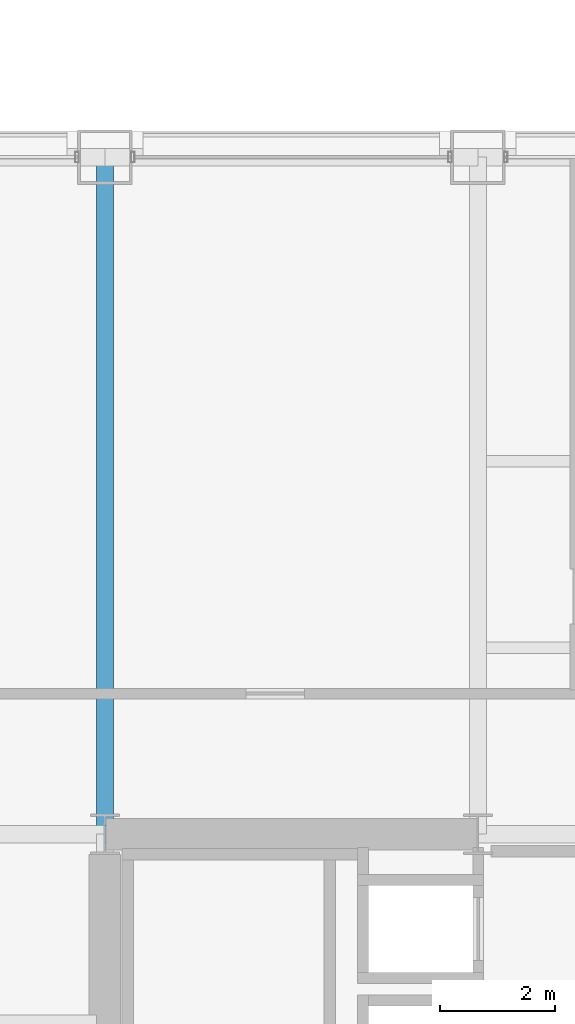
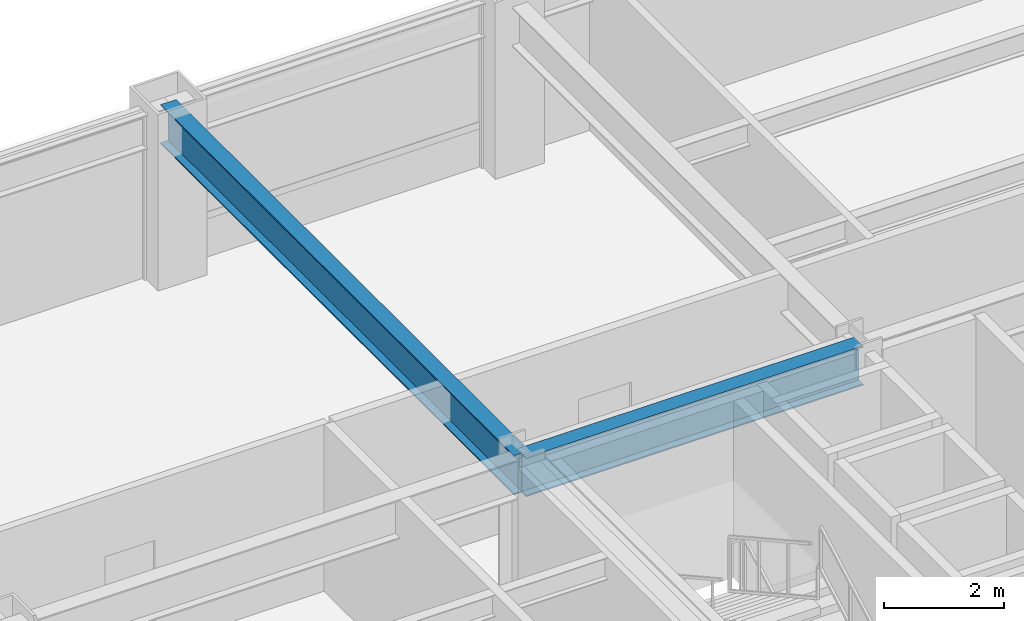
# One storey, part 16 of 31: 2 beams.
"""IFC4 building model written with IfcOpenShell, lengths in metres."""

from ifc_helpers import new_model, si_unit, direction, frame, origin, origin_2d, place, context, subcontext, project, spatial, i_section, extrude, material, material_profile, profile_set, type_object, element, save


model = new_model("IFC4")

# Units and contexts
model_context = context("Model", 3, precision=1e-05, world=origin(), true_north=direction((0.0, 1.0)))
body_context = subcontext(model_context, "Body", "Model", "MODEL_VIEW")
ifc_project = project(units=[si_unit("LENGTHUNIT", "METRE"), si_unit("AREAUNIT", "SQUARE_METRE"), si_unit("VOLUMEUNIT", "CUBIC_METRE"), si_unit("PLANEANGLEUNIT", "RADIAN"), si_unit("MASSUNIT", "GRAM", prefix="KILO")], contexts=[model_context])

# Site, building, storey
site_placement = place(None, origin())
site = spatial("IfcSite", under=ifc_project, at=site_placement, CompositionType="ELEMENT")
building_placement = place(site_placement, origin())
building = spatial("IfcBuilding", under=site, at=building_placement, Name="Brelmoor Portico Tower", CompositionType="ELEMENT")
storey_placement = place(building_placement, frame((0.0, 0.0, 27.60009765625)))
storey = spatial("IfcBuildingStorey", under=building, at=storey_placement, Name="L06", CompositionType="ELEMENT", Elevation=27.60009765625)

# Beams
ifc_material = material(Name="Steel Q355B", Category="steel")
ifc_material_profile = material_profile(ifc_material, i_section(OverallWidth=0.300048828125, OverallDepth=0.800048828125, WebThickness=0.013916015625, FlangeThickness=0.02587890625, at=origin_2d()), Name="HN 800x300x14x26")
ifc_profile_set = profile_set([ifc_material_profile], Name="Steel Q355B")
beam_type = type_object("IfcBeamType", Name="BM-PG-800", PredefinedType="BEAM", material=ifc_profile_set)
beam_1_placement = place(storey_placement, frame((-14.550048828125, 9.75, 3.0), z_axis=(0.0, 1.0, 0.0), x_axis=(-1.0, 0.0, 0.0)))
element("IfcBeam", 1, at=beam_1_placement, inside=storey, type_object=beam_type, Name="L06 Primary Floor Girder PG-06", PredefinedType="BEAM", context=body_context, shape_type="SweptSolid", body=[
    extrude(i_section(OverallWidth=0.300048828125, OverallDepth=0.800048828125, WebThickness=0.013916015625, FlangeThickness=0.02587890625, at=origin_2d()), origin(), (0.0, 0.0, 1.0), 11.800048828125),
])
beam_2_placement = place(storey_placement, frame((-14.550048828125, 9.75, 3.0), z_axis=(1.0, 0.0, 0.0), x_axis=(0.0, 1.0, 0.0)))
element("IfcBeam", 2, at=beam_2_placement, inside=storey, type_object=beam_type, Name="L06 Primary Floor Girder PG-28", PredefinedType="BEAM", context=body_context, shape_type="SweptSolid", body=[
    extrude(i_section(OverallWidth=0.300048828125, OverallDepth=0.800048828125, WebThickness=0.013916015625, FlangeThickness=0.02587890625, at=origin_2d()), origin(), (0.0, 0.0, 1.0), 6.5),
])

save(model, "model.ifc")
